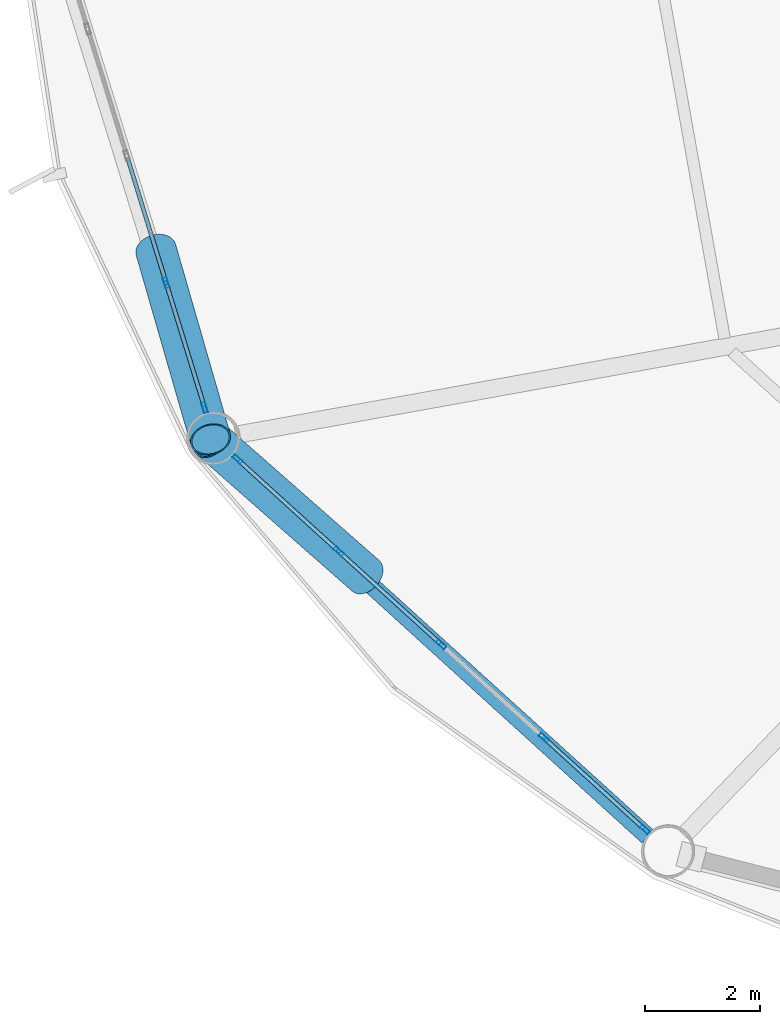
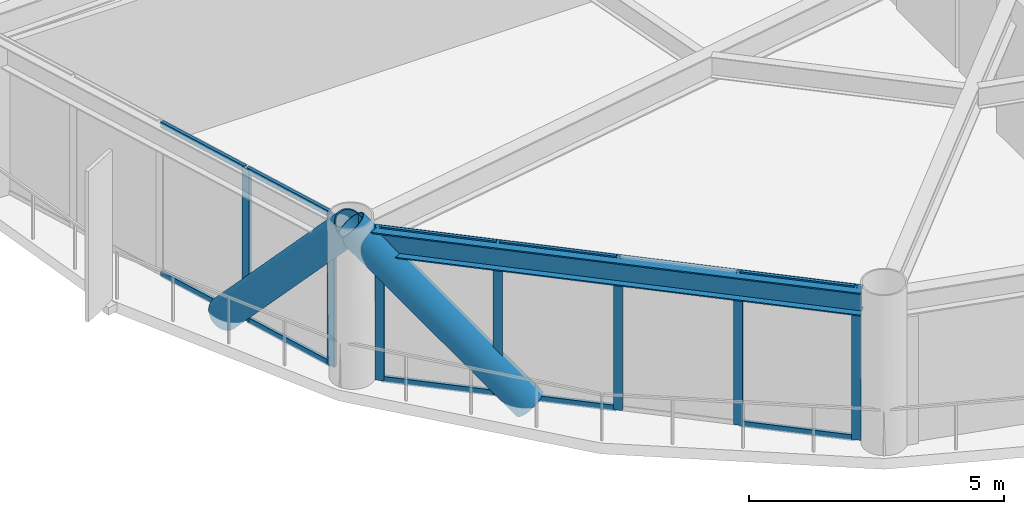
# One storey, part 2 of 25: 19 members, 1 beam, 2 elements without a shape of their own.
"""IFC4 building model written with IfcOpenShell, lengths in metres."""

from ifc_helpers import new_model, si_unit, direction, frame, origin, origin_2d, place, context, subcontext, project, spatial, hollow_rectangle, hollow_circle, i_section, extrude, material, layer, layer_set, material_profile, profile_set, type_object, element, aggregate, save


model = new_model("IFC4")

# Units and contexts
model_context = context("Model", 3, precision=1e-05, world=origin(), true_north=direction((0.0, 1.0)))
body_context = subcontext(model_context, "Body", "Model", "MODEL_VIEW")
ifc_project = project(units=[si_unit("LENGTHUNIT", "METRE"), si_unit("AREAUNIT", "SQUARE_METRE"), si_unit("VOLUMEUNIT", "CUBIC_METRE"), si_unit("PLANEANGLEUNIT", "RADIAN"), si_unit("MASSUNIT", "GRAM", prefix="KILO")], contexts=[model_context])

# Site, building, storey
site_placement = place(None, origin())
site = spatial("IfcSite", under=ifc_project, at=site_placement, CompositionType="ELEMENT")
building_placement = place(site_placement, origin())
building = spatial("IfcBuilding", under=site, at=building_placement, Name="Varnakorn Sky Granary", CompositionType="ELEMENT")
storey_placement = place(building_placement, frame((0.0, 0.0, 70.5)))
storey = spatial("IfcBuildingStorey", under=building, at=storey_placement, Name="L17", CompositionType="ELEMENT", Elevation=70.5)

# Beam
ifc_material_1 = material(Name="Steel S355JR", Category="steel")
ifc_material_profile_1 = material_profile(ifc_material_1, i_section(OverallWidth=0.300048828125, OverallDepth=0.550048828125, WebThickness=0.014892578125, FlangeThickness=0.029052734375, at=origin_2d()), Name="HE 550 B")
ifc_profile_set_1 = profile_set([ifc_material_profile_1], Name="Steel S355JR")
beam_type = type_object("IfcBeamType", Name="BM-SPD-Z1", PredefinedType="SPANDREL", material=ifc_profile_set_1)
beam_placement = place(storey_placement, frame((-19.90234375, -10.1201171875, 3.364990234375), z_axis=(0.740187749982, -0.672400248941, 0.0), x_axis=(0.672400248941, 0.740187749982, 0.0)))
element("IfcBeam", 1, at=beam_placement, inside=storey, type_object=beam_type, Name="Perimeter Spandrel Ring Beam RB08 L17", PredefinedType="SPANDREL", context=body_context, shape_type="SweptSolid", body=[
    extrude(i_section(OverallWidth=0.300048828125, OverallDepth=0.550048828125, WebThickness=0.014892578125, FlangeThickness=0.029052734375, at=origin_2d()), origin(), (0.0, 0.0, 1.0), 9.810546875),
])

# Curtain wall, members
ifc_material_2 = material(Name="Anodised Bronze Aluminium Alloy 6063-T6", Category="aluminium")
ifc_layer = layer(ifc_material_2, 0.18994140625, Name="Anodised Bronze Aluminium Alloy 6063-T6")
ifc_layer_set = layer_set([ifc_layer], Name="Anodised Bronze Aluminium Alloy 6063-T6")
curtain_wall_type = type_object("IfcCurtainWallType", Name="CW-FRM-1", PredefinedType="USERDEFINED", material=ifc_layer_set)
curtain_wall_1_placement = place(storey_placement, origin())
curtain_wall_1 = element("IfcCurtainWall", 2, at=curtain_wall_1_placement, inside=storey, type_object=curtain_wall_type, Name="Unitised Curtain Wall CW3 CW-L17-B07", ObjectType="CURTAIN WALL", PredefinedType="USERDEFINED")
ifc_material_profile_2 = material_profile(ifc_material_2, hollow_rectangle(XDim=0.070068359375, YDim=0.18505859375, WallThickness=0.00390625, at=origin_2d()), Name="ALU MULL 70x185")
ifc_profile_set_2 = profile_set([ifc_material_profile_2], Name="Anodised Bronze Aluminium Alloy 6063-T6")
member_type_1 = type_object("IfcMemberType", Name="CW-FRM-1-MULL", PredefinedType="MULLION", material=ifc_profile_set_2)
member_1_placement = place(storey_placement, frame((-20.33349609375, -9.26953125, 0.0), z_axis=(0.0, 0.0, 1.0), x_axis=(-0.955536644145, -0.29487238205, 0.0)))
member_1 = element("IfcMember", 3, at=member_1_placement, type_object=member_type_1, Name="CW3 mullion 1", PredefinedType="MULLION", context=body_context, shape_type="SweptSolid", body=[
    extrude(hollow_rectangle(XDim=0.070068359375, YDim=0.18505859375, WallThickness=0.00390625, at=origin_2d()), origin(), (0.0, 0.0, 1.0), 3.639892578125),
])
member_2_placement = place(storey_placement, frame((-21.002685546875, -7.100830078125, 0.0), z_axis=(0.0, 0.0, 1.0), x_axis=(-0.955536644145, -0.29487238205, 0.0)))
member_2 = element("IfcMember", 4, at=member_2_placement, type_object=member_type_1, Name="CW3 mullion 2", PredefinedType="MULLION", context=body_context, shape_type="SweptSolid", body=[
    extrude(hollow_rectangle(XDim=0.070068359375, YDim=0.18505859375, WallThickness=0.00390625, at=origin_2d()), origin(), (0.0, 0.0, 1.0), 3.639892578125),
])

curtain_wall_2_placement = place(storey_placement, origin())
curtain_wall_2 = element("IfcCurtainWall", 5, at=curtain_wall_2_placement, inside=storey, type_object=curtain_wall_type, Name="Unitised Curtain Wall CW3 CW-L17-B08", ObjectType="CURTAIN WALL", PredefinedType="USERDEFINED")
member_3_placement = place(storey_placement, frame((-12.68798828125, -16.59765625, 0.0), z_axis=(0.0, 0.0, 1.0), x_axis=(-0.672582331683, -0.740022301764, 0.0)))
member_3 = element("IfcMember", 6, at=member_3_placement, type_object=member_type_1, Name="CW3 mullion 1", PredefinedType="MULLION", context=body_context, shape_type="SweptSolid", body=[
    extrude(hollow_rectangle(XDim=0.070068359375, YDim=0.18505859375, WallThickness=0.00390625, at=origin_2d()), origin(), (0.0, 0.0, 1.0), 3.639892578125),
])
member_4_placement = place(storey_placement, frame((-14.443603515625, -15.001953125, 0.0), z_axis=(0.0, 0.0, 1.0), x_axis=(-0.672582331683, -0.740022301764, 0.0)))
member_4 = element("IfcMember", 7, at=member_4_placement, type_object=member_type_1, Name="CW3 mullion 2", PredefinedType="MULLION", context=body_context, shape_type="SweptSolid", body=[
    extrude(hollow_rectangle(XDim=0.070068359375, YDim=0.18505859375, WallThickness=0.00390625, at=origin_2d()), origin(), (0.0, 0.0, 1.0), 3.639892578125),
])
member_5_placement = place(storey_placement, frame((-16.22509765625, -13.383056640625, 0.0), z_axis=(0.0, 0.0, 1.0), x_axis=(-0.672582331683, -0.740022301764, 0.0)))
member_5 = element("IfcMember", 8, at=member_5_placement, type_object=member_type_1, Name="CW3 mullion 3", PredefinedType="MULLION", context=body_context, shape_type="SweptSolid", body=[
    extrude(hollow_rectangle(XDim=0.070068359375, YDim=0.18505859375, WallThickness=0.00390625, at=origin_2d()), origin(), (0.0, 0.0, 1.0), 3.639892578125),
])
member_6_placement = place(storey_placement, frame((-18.006591796875, -11.763916015625, 0.0), z_axis=(0.0, 0.0, 1.0), x_axis=(-0.672582331683, -0.740022301764, 0.0)))
member_6 = element("IfcMember", 9, at=member_6_placement, type_object=member_type_1, Name="CW3 mullion 4", PredefinedType="MULLION", context=body_context, shape_type="SweptSolid", body=[
    extrude(hollow_rectangle(XDim=0.070068359375, YDim=0.18505859375, WallThickness=0.00390625, at=origin_2d()), origin(), (0.0, 0.0, 1.0), 3.639892578125),
])
member_7_placement = place(storey_placement, frame((-19.76220703125, -10.168212890625, 0.0), z_axis=(0.0, 0.0, 1.0), x_axis=(-0.672582331683, -0.740022301764, 0.0)))
member_7 = element("IfcMember", 10, at=member_7_placement, type_object=member_type_1, Name="CW3 mullion 5", PredefinedType="MULLION", context=body_context, shape_type="SweptSolid", body=[
    extrude(hollow_rectangle(XDim=0.070068359375, YDim=0.18505859375, WallThickness=0.00390625, at=origin_2d()), origin(), (0.0, 0.0, 1.0), 3.639892578125),
])

# Member
ifc_material_profile_3 = material_profile(ifc_material_2, hollow_rectangle(XDim=0.070068359375, YDim=0.139892578125, WallThickness=0.00341796875, at=origin_2d()), Name="ALU TRAN 70x140")
ifc_profile_set_3 = profile_set([ifc_material_profile_3], Name="Anodised Bronze Aluminium Alloy 6063-T6")
member_type_2 = type_object("IfcMemberType", Name="CW-FRM-1-TRAN", PredefinedType="USERDEFINED", material=ifc_profile_set_3)
member_8_placement = place(storey_placement, frame((-20.34375, -9.236083984375, 0.034912109375), z_axis=(-0.294904678901, 0.95552667695, 0.0), x_axis=(-0.95552667695, -0.294904678901, 0.0)))
member_8 = element("IfcMember", 11, at=member_8_placement, type_object=member_type_2, Name="CW3 transom 1.1", ObjectType="TRANSOM", PredefinedType="USERDEFINED", context=body_context, shape_type="SweptSolid", body=[
    extrude(hollow_rectangle(XDim=0.070068359375, YDim=0.139892578125, WallThickness=0.00341796875, at=origin_2d()), origin(), (0.0, 0.0, 1.0), 2.19970703125),
])

member_9_placement = place(storey_placement, frame((-20.34375, -9.236083984375, 3.60498046875), z_axis=(-0.294904678901, 0.95552667695, 0.0), x_axis=(-0.95552667695, -0.294904678901, 0.0)))
member_9 = element("IfcMember", 12, at=member_9_placement, type_object=member_type_2, Name="CW3 transom 1.2", ObjectType="TRANSOM", PredefinedType="USERDEFINED", context=body_context, shape_type="SweptSolid", body=[
    extrude(hollow_rectangle(XDim=0.070068359375, YDim=0.139892578125, WallThickness=0.00341796875, at=origin_2d()), origin(), (0.0, 0.0, 1.0), 2.19970703125),
])

member_10_placement = place(storey_placement, frame((-21.012939453125, -7.0673828125, 0.034912109375), z_axis=(-0.294845729944, 0.955544868404, 0.0), x_axis=(-0.955544868404, -0.294845729944, 0.0)))
member_10 = element("IfcMember", 13, at=member_10_placement, type_object=member_type_2, Name="CW3 transom 2.1", ObjectType="TRANSOM", PredefinedType="USERDEFINED", context=body_context, shape_type="SweptSolid", body=[
    extrude(hollow_rectangle(XDim=0.070068359375, YDim=0.139892578125, WallThickness=0.00341796875, at=origin_2d()), origin(), (0.0, 0.0, 1.0), 2.23486328125),
])

member_11_placement = place(storey_placement, frame((-21.012939453125, -7.0673828125, 3.60498046875), z_axis=(-0.294845729944, 0.955544868404, 0.0), x_axis=(-0.955544868404, -0.294845729944, 0.0)))
member_11 = element("IfcMember", 14, at=member_11_placement, type_object=member_type_2, Name="CW3 transom 2.2", ObjectType="TRANSOM", PredefinedType="USERDEFINED", context=body_context, shape_type="SweptSolid", body=[
    extrude(hollow_rectangle(XDim=0.070068359375, YDim=0.139892578125, WallThickness=0.00341796875, at=origin_2d()), origin(), (0.0, 0.0, 1.0), 2.23486328125),
])

aggregate(curtain_wall_1, [member_1, member_2, member_8, member_9, member_10, member_11])

member_12_placement = place(storey_placement, frame((-12.7138671875, -16.57421875, 0.034912109375), z_axis=(-0.740021633712, 0.67258306672, 0.0), x_axis=(-0.67258306672, -0.740021633712, 0.0)))
member_12 = element("IfcMember", 15, at=member_12_placement, type_object=member_type_2, Name="CW3 transom 1.1", ObjectType="TRANSOM", PredefinedType="USERDEFINED", context=body_context, shape_type="SweptSolid", body=[
    extrude(hollow_rectangle(XDim=0.070068359375, YDim=0.139892578125, WallThickness=0.00341796875, at=origin_2d()), origin(), (0.0, 0.0, 1.0), 2.302490234375),
])

member_13_placement = place(storey_placement, frame((-12.7138671875, -16.57421875, 3.60498046875), z_axis=(-0.740021633712, 0.67258306672, 0.0), x_axis=(-0.67258306672, -0.740021633712, 0.0)))
member_13 = element("IfcMember", 16, at=member_13_placement, type_object=member_type_2, Name="CW3 transom 1.2", ObjectType="TRANSOM", PredefinedType="USERDEFINED", context=body_context, shape_type="SweptSolid", body=[
    extrude(hollow_rectangle(XDim=0.070068359375, YDim=0.139892578125, WallThickness=0.00341796875, at=origin_2d()), origin(), (0.0, 0.0, 1.0), 2.302490234375),
])

member_14_placement = place(storey_placement, frame((-16.2509765625, -13.359375, 0.034912109375), z_axis=(-0.740039317957, 0.672563608797, 0.0), x_axis=(-0.672563608797, -0.740039317957, 0.0)))
member_14 = element("IfcMember", 17, at=member_14_placement, type_object=member_type_2, Name="CW3 transom 3.1", ObjectType="TRANSOM", PredefinedType="USERDEFINED", context=body_context, shape_type="SweptSolid", body=[
    extrude(hollow_rectangle(XDim=0.070068359375, YDim=0.139892578125, WallThickness=0.00341796875, at=origin_2d()), origin(), (0.0, 0.0, 1.0), 2.33740234375),
])

member_15_placement = place(storey_placement, frame((-16.2509765625, -13.359375, 3.60498046875), z_axis=(-0.740039317957, 0.672563608797, 0.0), x_axis=(-0.672563608797, -0.740039317957, 0.0)))
member_15 = element("IfcMember", 18, at=member_15_placement, type_object=member_type_2, Name="CW3 transom 3.2", ObjectType="TRANSOM", PredefinedType="USERDEFINED", context=body_context, shape_type="SweptSolid", body=[
    extrude(hollow_rectangle(XDim=0.070068359375, YDim=0.139892578125, WallThickness=0.00341796875, at=origin_2d()), origin(), (0.0, 0.0, 1.0), 2.33740234375),
])

member_16_placement = place(storey_placement, frame((-18.032470703125, -11.740234375, 0.034912109375), z_axis=(-0.740026443975, 0.672577774103, 0.0), x_axis=(-0.672577774103, -0.740026443975, 0.0)))
member_16 = element("IfcMember", 19, at=member_16_placement, type_object=member_type_2, Name="CW3 transom 4.1", ObjectType="TRANSOM", PredefinedType="USERDEFINED", context=body_context, shape_type="SweptSolid", body=[
    extrude(hollow_rectangle(XDim=0.070068359375, YDim=0.139892578125, WallThickness=0.00341796875, at=origin_2d()), origin(), (0.0, 0.0, 1.0), 2.302001953125),
])

member_17_placement = place(storey_placement, frame((-18.032470703125, -11.740234375, 3.60498046875), z_axis=(-0.740026443975, 0.672577774103, 0.0), x_axis=(-0.672577774103, -0.740026443975, 0.0)))
member_17 = element("IfcMember", 20, at=member_17_placement, type_object=member_type_2, Name="CW3 transom 4.2", ObjectType="TRANSOM", PredefinedType="USERDEFINED", context=body_context, shape_type="SweptSolid", body=[
    extrude(hollow_rectangle(XDim=0.070068359375, YDim=0.139892578125, WallThickness=0.00341796875, at=origin_2d()), origin(), (0.0, 0.0, 1.0), 2.302001953125),
])

aggregate(curtain_wall_2, [member_3, member_4, member_5, member_6, member_7, member_12, member_13, member_14, member_15, member_16, member_17])

# Members
ifc_material_3 = material(Name="Steel S460M", Category="steel")
ifc_material_profile_4 = material_profile(ifc_material_3, hollow_circle(Radius=0.35546875, WallThickness=0.02490234375, at=origin_2d()), Name="CHS 711x25")
ifc_profile_set_4 = profile_set([ifc_material_profile_4], Name="Steel S460M")
member_type_3 = type_object("IfcMemberType", Name="MB-DIAG-T0", PredefinedType="BRACE", material=ifc_profile_set_4)
member_18_placement = place(storey_placement, frame((-21.178466796875, -6.53125, -0.1298828125), z_axis=(0.186297902917, -0.646219352979, 0.740063267028), x_axis=(0.960867739521, 0.277007557926, 0.0)))
element("IfcMember", 21, at=member_18_placement, inside=storey, type_object=member_type_3, Name="Perimeter CHS Diagrid Brace DG07 L17", PredefinedType="BRACE", context=body_context, shape_type="SweptSolid", body=[
    extrude(hollow_circle(Radius=0.35546875, WallThickness=0.02490234375, at=origin_2d()), origin(), (0.0, 0.0, 1.0), 5.09375),
])
member_19_placement = place(storey_placement, frame((-17.540283203125, -12.1875, -0.1298828125), z_axis=(-0.517213716448, 0.454763036205, 0.725038311001), x_axis=(-0.660312762836, -0.750990715812, 0.0)))
element("IfcMember", 22, at=member_19_placement, inside=storey, type_object=member_type_3, Name="Perimeter CHS Diagrid Brace DG08 L17", PredefinedType="BRACE", context=body_context, shape_type="SweptSolid", body=[
    extrude(hollow_circle(Radius=0.35546875, WallThickness=0.02490234375, at=origin_2d()), origin(), (0.0, 0.0, 1.0), 5.199462890625),
])

save(model, "model.ifc")
